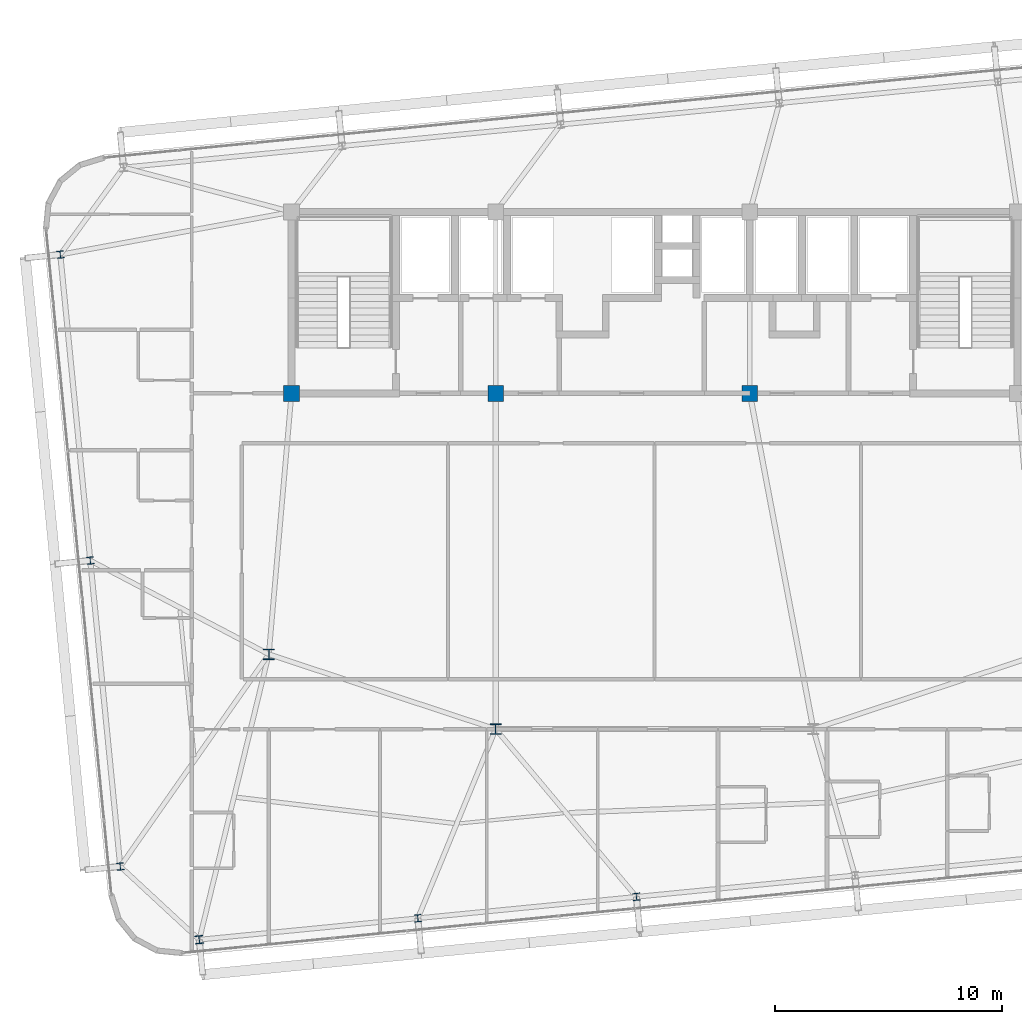
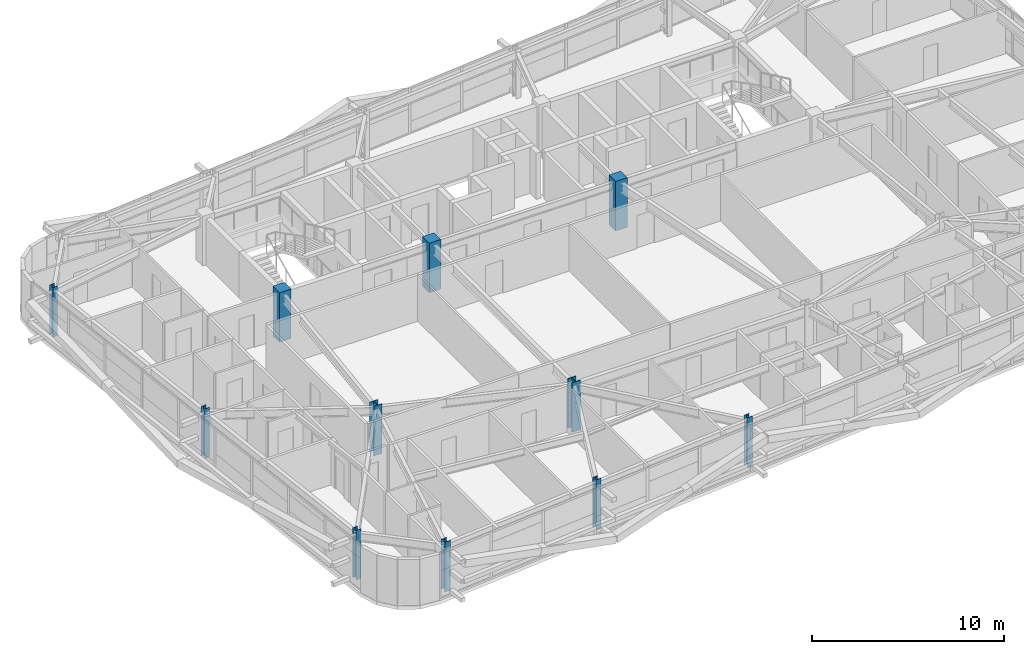
# One storey, part 1 of 53: 11 columns.
"""IFC4 building model written with IfcOpenShell, lengths in metres."""

from ifc_helpers import new_model, si_unit, direction, frame, origin, origin_2d, place, context, subcontext, project, spatial, rectangle, i_section, extrude, source, transform, mapped, material, material_profile, profile_set, type_object, element, save


model = new_model("IFC4")

# Units and contexts
model_context = context("Model", 3, precision=1e-05, world=origin(), true_north=direction((0.0, 1.0)))
body_context = subcontext(model_context, "Body", "Model", "MODEL_VIEW")
ifc_project = project(units=[si_unit("LENGTHUNIT", "METRE"), si_unit("AREAUNIT", "SQUARE_METRE"), si_unit("VOLUMEUNIT", "CUBIC_METRE"), si_unit("PLANEANGLEUNIT", "RADIAN"), si_unit("MASSUNIT", "GRAM", prefix="KILO")], contexts=[model_context])

# Site, building, storey
site_placement = place(None, origin())
site = spatial("IfcSite", under=ifc_project, at=site_placement, CompositionType="ELEMENT")
building_placement = place(site_placement, origin())
building = spatial("IfcBuilding", under=site, at=building_placement, Name="Taldren Reach Tower", CompositionType="ELEMENT")
storey_placement = place(building_placement, frame((0.0, 0.0, 71.39990234375)))
storey = spatial("IfcBuildingStorey", under=building, at=storey_placement, Name="L21", CompositionType="ELEMENT", Elevation=71.39990234375)

# Columns
ifc_material_1 = material(Name="Steel Gr 350 (350PLUS)", Category="steel")
ifc_material_profile_1 = material_profile(ifc_material_1, i_section(OverallWidth=0.5, OverallDepth=0.464111328125, WebThickness=0.02197265625, FlangeThickness=0.033935546875, at=origin_2d()), Name="500WC340")
ifc_profile_set_1 = profile_set([ifc_material_profile_1], Name="Steel Gr 350 (350PLUS)")
column_type_1 = type_object("IfcColumnType", Name="COL-WC500B", PredefinedType="COLUMN", material=ifc_profile_set_1)
shared_shape_1 = source(origin(), body_context, "Body", "SweptSolid", [
    extrude(i_section(OverallWidth=0.5, OverallDepth=0.464111328125, WebThickness=0.02197265625, FlangeThickness=0.033935546875, at=origin_2d()), origin(), (0.0, 0.0, 1.0), 3.150146484375),
])
for number, where, z_axis, x_axis, name in (
    (1, (28.0, 9.199951171875, 0.0), (0.0, 0.0, 1.0), (1.0, 0.0, 0.0), "Mega column MC-PJW L21"),
    (2, (18.0, 12.5, 0.0), (0.0, 0.0, 1.0), (1.0, 0.0, 0.0), "Mega column MC-SW L21"),
):
    element("IfcColumn", number, at=place(storey_placement, frame(where, z_axis=z_axis, x_axis=x_axis)), inside=storey, type_object=column_type_1, Name=name, PredefinedType="COLUMN", context=body_context, shape_type="MappedRepresentation", body=[
        mapped(shared_shape_1, transform((0.0, 0.0, 0.0), scale=1.0)),
    ])
ifc_material_2 = material(Name="Concrete S65 (65 MPa)", Category="concrete")
ifc_material_profile_2 = material_profile(ifc_material_2, rectangle(XDim=0.699951171875, YDim=0.699951171875, at=origin_2d()), Name="RC-700x700")
ifc_profile_set_2 = profile_set([ifc_material_profile_2], Name="Concrete S65 (65 MPa)")
column_type_2 = type_object("IfcColumnType", Name="COL-RC700", PredefinedType="COLUMN", material=ifc_profile_set_2)
shared_shape_2 = source(origin(), body_context, "Body", "SweptSolid", [
    extrude(rectangle(XDim=0.699951171875, YDim=0.699951171875, at=origin_2d()), origin(), (0.0, 0.0, 1.0), 3.150146484375),
])
for number, where, z_axis, x_axis, name in (
    (3, (19.0, 24.0, 0.0), (0.0, 0.0, 1.0), (1.0, 0.0, 0.0), "Mega column MC-C1 L21"),
    (4, (28.0, 24.0, 0.0), (0.0, 0.0, 1.0), (1.0, 0.0, 0.0), "Mega column MC-C2 L21"),
    (5, (39.199951171875, 24.0, 0.0), (0.0, 0.0, 1.0), (1.0, 0.0, 0.0), "Mega column MC-C3 L21"),
):
    element("IfcColumn", number, at=place(storey_placement, frame(where, z_axis=z_axis, x_axis=x_axis)), inside=storey, type_object=column_type_2, Name=name, PredefinedType="COLUMN", context=body_context, shape_type="MappedRepresentation", body=[
        mapped(shared_shape_2, transform((0.0, 0.0, 0.0), scale=1.0)),
    ])
ifc_material_profile_3 = material_profile(ifc_material_1, i_section(OverallWidth=0.35009765625, OverallDepth=0.35595703125, WebThickness=0.01806640625, FlangeThickness=0.028076171875, at=origin_2d()), Name="350WC197")
ifc_profile_set_3 = profile_set([ifc_material_profile_3], Name="Steel Gr 350 (350PLUS)")
column_type_3 = type_object("IfcColumnType", Name="COL-WC350", PredefinedType="COLUMN", material=ifc_profile_set_3)
shared_shape_3 = source(origin(), body_context, "Body", "SweptSolid", [
    extrude(i_section(OverallWidth=0.35009765625, OverallDepth=0.35595703125, WebThickness=0.01806640625, FlangeThickness=0.028076171875, at=origin_2d()), origin(), (0.0, 0.0, 1.0), 3.150146484375),
])
column_placement = place(storey_placement, frame((14.93408203125, -0.079833984375, 0.0), z_axis=(0.0, 0.0, 1.0), x_axis=(0.995227399982, 0.097582899759, 0.0)))
element("IfcColumn", 6, at=column_placement, inside=storey, type_object=column_type_3, Name="Block B2 perimeter column S1 L21", PredefinedType="COLUMN", context=body_context, shape_type="MappedRepresentation", body=[
    mapped(shared_shape_3, transform((0.0, 0.0, 0.0), scale=1.0)),
])
ifc_material_profile_4 = material_profile(ifc_material_1, i_section(OverallWidth=0.306884765625, OverallDepth=0.31494140625, WebThickness=0.011962890625, FlangeThickness=0.018798828125, at=origin_2d()), Name="310UC118")
ifc_profile_set_4 = profile_set([ifc_material_profile_4], Name="Steel Gr 350 (350PLUS)")
column_type_4 = type_object("IfcColumnType", Name="COL-UC310B", PredefinedType="COLUMN", material=ifc_profile_set_4)
shared_shape_4 = source(origin(), body_context, "Body", "SweptSolid", [
    extrude(i_section(OverallWidth=0.306884765625, OverallDepth=0.31494140625, WebThickness=0.011962890625, FlangeThickness=0.018798828125, at=origin_2d()), origin(), (0.0, 0.0, 1.0), 3.150146484375),
])
for number, where, z_axis, x_axis, name in (
    (7, (24.56787109375, 0.86474609375, 0.0), (0.0, 0.0, 1.0), (0.995227399982, 0.097582899759, 0.0), "Block B2 perimeter column S2 L21"),
    (8, (34.20166015625, 1.809326171875, 0.0), (0.0, 0.0, 1.0), (0.995227399982, 0.097582899759, 0.0), "Block B2 perimeter column S3 L21"),
    (9, (11.452880859375, 3.145751953125, 0.0), (0.0, 0.0, 1.0), (0.995227399982, 0.097582899759, 0.0), "Block B2 perimeter column W1 L21"),
    (10, (10.130615234375, 16.631103515625, 0.0), (0.0, 0.0, 1.0), (0.995227399982, 0.097582899759, 0.0), "Block B2 perimeter column W2 L21"),
    (11, (8.808349609375, 30.116455078125, 0.0), (0.0, 0.0, 1.0), (0.995227399982, 0.097582899759, 0.0), "Block B2 perimeter column W3 L21"),
):
    element("IfcColumn", number, at=place(storey_placement, frame(where, z_axis=z_axis, x_axis=x_axis)), inside=storey, type_object=column_type_4, Name=name, PredefinedType="COLUMN", context=body_context, shape_type="MappedRepresentation", body=[
        mapped(shared_shape_4, transform((0.0, 0.0, 0.0), scale=1.0)),
    ])

save(model, "model.ifc")
